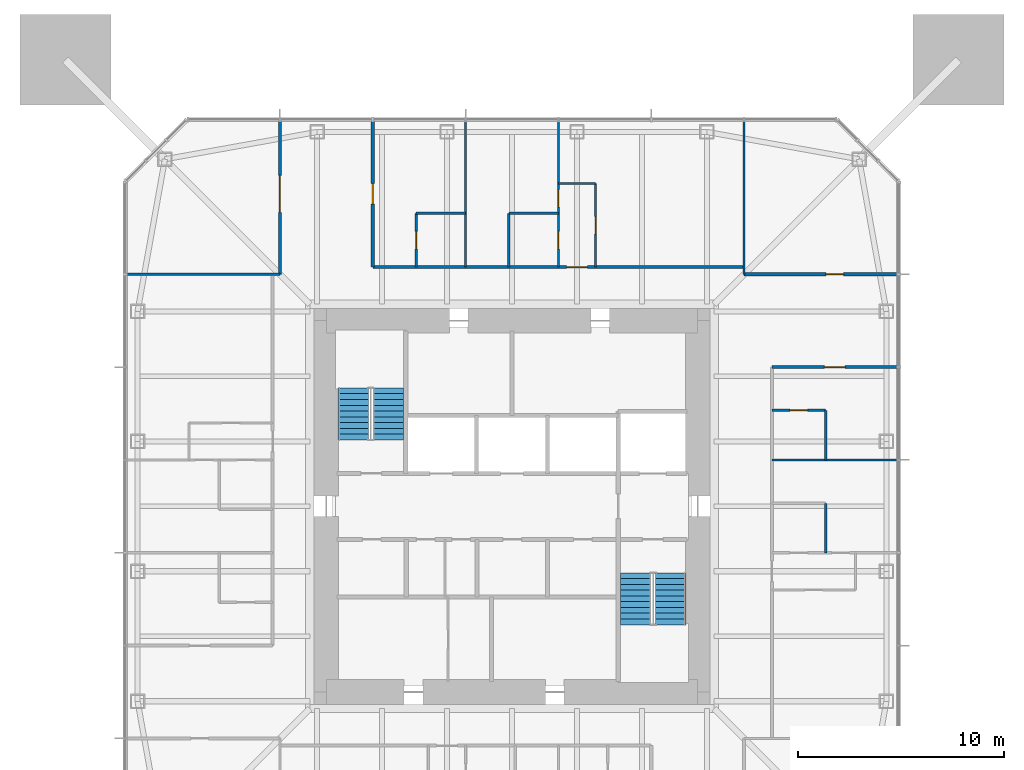
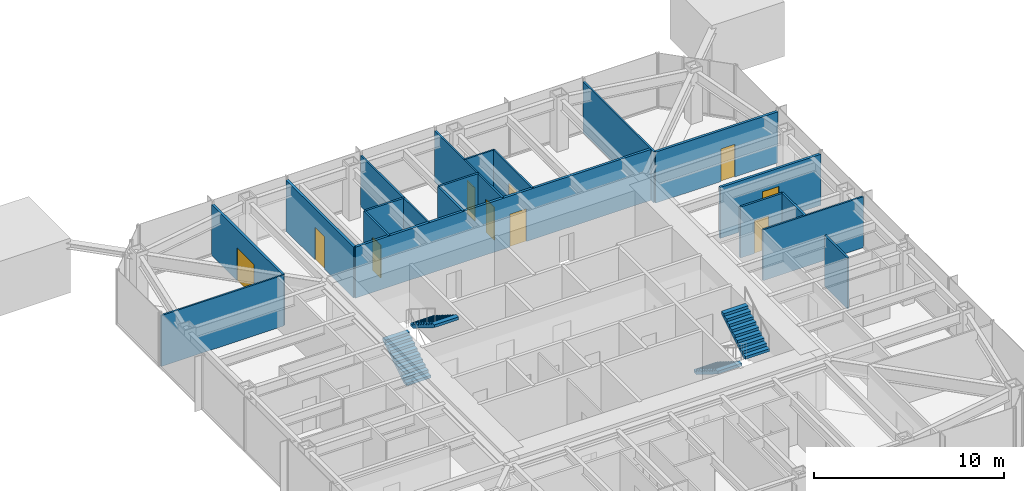
# One storey, part 8 of 11: 19 walls, 10 doors, 4 stair flights, 10 openings, 2 elements without a shape of their own.
"""IFC4 building model written with IfcOpenShell, lengths in metres."""

from ifc_helpers import new_model, si_unit, direction, frame, frame_2d, origin, place, context, subcontext, project, spatial, polyline, rectangle, outline, extrude, material, layer, layer_set, constituent, constituent_set, type_object, element, fill, aggregate, save


model = new_model("IFC4")

# Units and contexts
model_context = context("Model", 3, precision=1e-05, world=origin(), true_north=direction((0.0, 1.0)))
body_context = subcontext(model_context, "Body", "Model", "MODEL_VIEW")
ifc_project = project(units=[si_unit("LENGTHUNIT", "METRE"), si_unit("AREAUNIT", "SQUARE_METRE"), si_unit("VOLUMEUNIT", "CUBIC_METRE"), si_unit("PLANEANGLEUNIT", "RADIAN"), si_unit("MASSUNIT", "GRAM", prefix="KILO")], contexts=[model_context])

# Site, building, storey
site_placement = place(None, origin())
site = spatial("IfcSite", under=ifc_project, at=site_placement, CompositionType="ELEMENT")
building_placement = place(site_placement, origin())
building = spatial("IfcBuilding", under=site, at=building_placement, Name="Iwan Alto Co-Living Towers", CompositionType="ELEMENT")
storey_placement = place(building_placement, frame((0.0, 0.0, 163.5)))
storey = spatial("IfcBuildingStorey", under=building, at=storey_placement, Name="L44", CompositionType="ELEMENT", Elevation=163.5)

# Wall, opening, door
ifc_material_1 = material(Name="Gypsum board")
ifc_layer_1 = layer(ifc_material_1, 0.02490234375, Name="Board", Category="Finish")
ifc_material_2 = material(Name="Steel ASTM A1003 ST33H cold-formed studs", Category="steel")
ifc_layer_2 = layer(ifc_material_2, 0.10009765625, Name="Studs", Category="Framing")
ifc_layer_3 = layer(ifc_material_1, 0.02490234375, Name="Board", Category="Finish")
ifc_layer_set_1 = layer_set([ifc_layer_1, ifc_layer_2, ifc_layer_3], Name="CORRIDOR WALL 150")
wall_type_1 = type_object("IfcWallType", Name="CORRIDOR WALL 150", PredefinedType="PARTITIONING", material=ifc_layer_set_1)
wall_1_placement = place(storey_placement, frame((12.60009765625, 6.75, 0.0), z_axis=(0.0, 0.0, 1.0), x_axis=(1.0, 0.0, 0.0)))
wall_1 = element("IfcWall", 1, at=wall_1_placement, inside=storey, type_object=wall_type_1, Name="Partition L44", PredefinedType="PARTITIONING", context=body_context, shape_type="SweptSolid", body=[
    extrude(rectangle(XDim=6.08984375, YDim=0.14990234375, at=frame_2d((3.044921875, 0.0))), origin(), (0.0, 0.0, 1.0), 3.27001953125),
])
opening_1_placement = place(wall_1_placement, frame((2.544921875, 0.0, 0.0)))
opening_1 = element("IfcOpeningElement", 2, at=opening_1_placement, cuts=wall_1, Name="Opening D3", PredefinedType="OPENING", context=body_context, shape_type="SweptSolid", body=[
    extrude(rectangle(XDim=1.0, YDim=2.10009765625, at=frame_2d((0.5, 1.050048828125))), frame((0.0, 0.0849609375, 0.0), z_axis=(0.0, -1.0, 0.0), x_axis=(1.0, 0.0, 0.0)), (0.0, 0.0, 1.0), 0.169921875),
])
ifc_material_3 = material(Name="Steel frame with timber leaf", Category="steel")
door_type_1 = type_object("IfcDoorType", Name="FLAT ENTRANCE DOOR FD30S 1000X2100", OperationType="SINGLE_SWING_LEFT", PredefinedType="DOOR", material=ifc_material_3)
door_1_placement = place(opening_1_placement, frame((1.0, 0.0, 0.0), z_axis=(0.0, 0.0, 1.0), x_axis=(-1.0, 0.0, 0.0)))
door_1 = element("IfcDoor", 3, at=door_1_placement, inside=storey, type_object=door_type_1, Name="Studio door L44", OperationType="SINGLE_SWING_RIGHT", OverallHeight=2.10009765625, OverallWidth=1.0, PredefinedType="DOOR", context=body_context, shape_type="SweptSolid", body=[
    extrude(rectangle(XDim=1.0, YDim=2.10009765625, at=frame_2d((0.5, 1.050048828125))), frame((0.0, 0.02490234375, 0.0), z_axis=(0.0, -1.0, 0.0), x_axis=(1.0, 0.0, 0.0)), (0.0, 0.0, 1.0), 0.050048828125),
])
fill(opening_1, door_1)

wall_2_placement = place(storey_placement, frame((11.25, 11.25, 0.0), z_axis=(0.0, 0.0, 1.0), x_axis=(1.0, 0.0, 0.0)))
wall_2 = element("IfcWall", 4, at=wall_2_placement, inside=storey, type_object=wall_type_1, Name="Partition L44", PredefinedType="PARTITIONING", context=body_context, shape_type="SweptSolid", body=[
    extrude(rectangle(XDim=7.43994140625, YDim=0.14990234375, at=frame_2d((3.719970703125, 0.0))), origin(), (0.0, 0.0, 1.0), 3.27001953125),
])
opening_2_placement = place(wall_2_placement, frame((3.969970703125, 0.0, 0.0)))
opening_2 = element("IfcOpeningElement", 5, at=opening_2_placement, cuts=wall_2, Name="Opening D2", PredefinedType="OPENING", context=body_context, shape_type="SweptSolid", body=[
    extrude(rectangle(XDim=0.85009765625, YDim=2.10009765625, at=frame_2d((0.425048828125, 1.050048828125))), frame((0.0, 0.0849609375, 0.0), z_axis=(0.0, -1.0, 0.0), x_axis=(1.0, 0.0, 0.0)), (0.0, 0.0, 1.0), 0.169921875),
])
ifc_material_4 = material(Name="Timber leaf in steel frame", Category="steel")
door_type_2 = type_object("IfcDoorType", Name="ROOM DOOR 850X2100", OperationType="SINGLE_SWING_LEFT", PredefinedType="DOOR", material=ifc_material_4)
door_2_placement = place(opening_2_placement, origin())
door_2 = element("IfcDoor", 6, at=door_2_placement, inside=storey, type_object=door_type_2, Name="Shared kitchen and lounge door L44", OperationType="SINGLE_SWING_RIGHT", OverallHeight=2.10009765625, OverallWidth=0.85009765625, PredefinedType="DOOR", context=body_context, shape_type="SweptSolid", body=[
    extrude(rectangle(XDim=0.85009765625, YDim=2.10009765625, at=frame_2d((0.425048828125, 1.050048828125))), frame((0.0, 0.02490234375, 0.0), z_axis=(0.0, -1.0, 0.0), x_axis=(1.0, 0.0, 0.0)), (0.0, 0.0, 1.0), 0.050048828125),
])
fill(opening_2, door_2)

wall_3_placement = place(storey_placement, frame((-6.75, 11.60009765625, 0.0), z_axis=(0.0, 0.0, 1.0), x_axis=(1.0, 0.0, 0.0)))
wall_3 = element("IfcWall", 7, at=wall_3_placement, inside=storey, type_object=wall_type_1, Name="Partition L44", PredefinedType="PARTITIONING", context=body_context, shape_type="SweptSolid", body=[
    extrude(rectangle(XDim=18.0, YDim=0.14990234375, at=frame_2d((9.0, 0.0))), origin(), (0.0, 0.0, 1.0), 3.27001953125),
])
opening_3_placement = place(wall_3_placement, frame((9.39990234375, 0.0, 0.0)))
opening_3 = element("IfcOpeningElement", 8, at=opening_3_placement, cuts=wall_3, Name="Opening D3", PredefinedType="OPENING", context=body_context, shape_type="SweptSolid", body=[
    extrude(rectangle(XDim=1.0, YDim=2.10009765625, at=frame_2d((0.5, 1.050048828125))), frame((0.0, 0.0849609375, 0.0), z_axis=(0.0, -1.0, 0.0), x_axis=(1.0, 0.0, 0.0)), (0.0, 0.0, 1.0), 0.169921875),
])
door_3_placement = place(opening_3_placement, origin())
door_3 = element("IfcDoor", 9, at=door_3_placement, inside=storey, type_object=door_type_1, Name="Apartment foyer door L44", OperationType="SINGLE_SWING_LEFT", OverallHeight=2.10009765625, OverallWidth=1.0, PredefinedType="DOOR", context=body_context, shape_type="SweptSolid", body=[
    extrude(rectangle(XDim=1.0, YDim=2.10009765625, at=frame_2d((0.5, 1.050048828125))), frame((0.0, 0.02490234375, 0.0), z_axis=(0.0, -1.0, 0.0), x_axis=(1.0, 0.0, 0.0)), (0.0, 0.0, 1.0), 0.050048828125),
])
fill(opening_3, door_3)

wall_4_placement = place(storey_placement, frame((-6.75, 11.60009765625, 0.0), z_axis=(0.0, 0.0, 1.0), x_axis=(0.0, 1.0, 0.0)))
wall_4 = element("IfcWall", 10, at=wall_4_placement, inside=storey, type_object=wall_type_1, Name="Partition L44", PredefinedType="PARTITIONING", context=body_context, shape_type="SweptSolid", body=[
    extrude(rectangle(XDim=7.08984375, YDim=0.14990234375, at=frame_2d((3.544921875, 0.0))), origin(), (0.0, 0.0, 1.0), 3.27001953125),
])
opening_4_placement = place(wall_4_placement, frame((3.044921875, 0.0, 0.0)))
opening_4 = element("IfcOpeningElement", 11, at=opening_4_placement, cuts=wall_4, Name="Opening D3", PredefinedType="OPENING", context=body_context, shape_type="SweptSolid", body=[
    extrude(rectangle(XDim=1.0, YDim=2.10009765625, at=frame_2d((0.5, 1.050048828125))), frame((0.0, 0.0849609375, 0.0), z_axis=(0.0, -1.0, 0.0), x_axis=(1.0, 0.0, 0.0)), (0.0, 0.0, 1.0), 0.169921875),
])
door_4_placement = place(opening_4_placement, frame((1.0, 0.0, 0.0), z_axis=(0.0, 0.0, 1.0), x_axis=(-1.0, 0.0, 0.0)))
door_4 = element("IfcDoor", 12, at=door_4_placement, inside=storey, type_object=door_type_1, Name="Studio door L44", OperationType="SINGLE_SWING_RIGHT", OverallHeight=2.10009765625, OverallWidth=1.0, PredefinedType="DOOR", context=body_context, shape_type="SweptSolid", body=[
    extrude(rectangle(XDim=1.0, YDim=2.10009765625, at=frame_2d((0.5, 1.050048828125))), frame((0.0, 0.02490234375, 0.0), z_axis=(0.0, -1.0, 0.0), x_axis=(1.0, 0.0, 0.0)), (0.0, 0.0, 1.0), 0.050048828125),
])
fill(opening_4, door_4)

wall_5_placement = place(storey_placement, frame((-11.25, 11.25, 0.0), z_axis=(0.0, 0.0, 1.0), x_axis=(0.0, 1.0, 0.0)))
wall_5 = element("IfcWall", 13, at=wall_5_placement, inside=storey, type_object=wall_type_1, Name="Partition L44", PredefinedType="PARTITIONING", context=body_context, shape_type="SweptSolid", body=[
    extrude(rectangle(XDim=7.43994140625, YDim=0.14990234375, at=frame_2d((3.719970703125, 0.0))), origin(), (0.0, 0.0, 1.0), 3.27001953125),
])
opening_5_placement = place(wall_5_placement, frame((2.9951171875, 0.0, 0.0)))
opening_5 = element("IfcOpeningElement", 14, at=opening_5_placement, cuts=wall_5, Name="Opening D9", PredefinedType="OPENING", context=body_context, shape_type="SweptSolid", body=[
    extrude(rectangle(XDim=1.800048828125, YDim=2.10009765625, at=frame_2d((0.89990234375, 1.050048828125))), frame((0.0, 0.0849609375, 0.0), z_axis=(0.0, -1.0, 0.0), x_axis=(1.0, 0.0, 0.0)), (0.0, 0.0, 1.0), 0.169921875),
])
ifc_material_5 = material(Name="Steel frame with timber leaf", Category="steel")
door_type_3 = type_object("IfcDoorType", Name="LOUNGE DOOR FD30S 1800X2100", OperationType="DOUBLE_DOOR_SINGLE_SWING", PredefinedType="DOOR", material=ifc_material_5)
door_5_placement = place(opening_5_placement, origin())
door_5 = element("IfcDoor", 15, at=door_5_placement, inside=storey, type_object=door_type_3, Name="Study lounge door L44", OperationType="DOUBLE_DOOR_SINGLE_SWING", OverallHeight=2.10009765625, OverallWidth=1.800048828125, PredefinedType="DOOR", context=body_context, shape_type="SweptSolid", body=[
    extrude(rectangle(XDim=1.800048828125, YDim=2.10009765625, at=frame_2d((0.89990234375, 1.050048828125))), frame((0.0, 0.02490234375, 0.0), z_axis=(0.0, -1.0, 0.0), x_axis=(1.0, 0.0, 0.0)), (0.0, 0.0, 1.0), 0.050048828125),
])
fill(opening_5, door_5)

# Walls
ifc_layer_4 = layer(ifc_material_1, 0.012451171875, Name="Board", Category="Finish")
ifc_layer_5 = layer(ifc_material_2, 0.074951171875, Name="Studs", Category="Framing")
ifc_layer_6 = layer(ifc_material_1, 0.012451171875, Name="Board", Category="Finish")
ifc_layer_set_2 = layer_set([ifc_layer_4, ifc_layer_5, ifc_layer_6], Name="PARTITION 100")
wall_type_2 = type_object("IfcWallType", Name="PARTITION 100", PredefinedType="PARTITIONING", material=ifc_layer_set_2)
wall_6_placement = place(storey_placement, frame((12.60009765625, 2.25, 0.0), z_axis=(0.0, 0.0, 1.0), x_axis=(1.0, 0.0, 0.0)))
element("IfcWall", 16, at=wall_6_placement, inside=storey, type_object=wall_type_2, Name="Partition L44", PredefinedType="PARTITIONING", context=body_context, shape_type="SweptSolid", body=[
    extrude(rectangle(XDim=6.08984375, YDim=0.10009765625, at=frame_2d((3.044921875, 0.0))), origin(), (0.0, 0.0, 1.0), 3.27001953125),
])
wall_7_placement = place(storey_placement, frame((-18.68994140625, 11.25, 0.0), z_axis=(0.0, 0.0, 1.0), x_axis=(1.0, 0.0, 0.0)))
element("IfcWall", 17, at=wall_7_placement, inside=storey, type_object=wall_type_2, Name="Partition L44", PredefinedType="PARTITIONING", context=body_context, shape_type="SweptSolid", body=[
    extrude(rectangle(XDim=7.43994140625, YDim=0.10009765625, at=frame_2d((3.719970703125, 0.0))), origin(), (0.0, 0.0, 1.0), 3.27001953125),
])
wall_8_placement = place(storey_placement, frame((2.25, 15.64990234375, 0.0), z_axis=(0.0, 0.0, 1.0), x_axis=(1.0, 0.0, 0.0)))
element("IfcWall", 18, at=wall_8_placement, inside=storey, type_object=wall_type_2, Name="Partition L44", PredefinedType="PARTITIONING", context=body_context, shape_type="SweptSolid", body=[
    extrude(rectangle(XDim=1.800048828125, YDim=0.10009765625, at=frame_2d((0.89990234375, 0.0))), origin(), (0.0, 0.0, 1.0), 3.27001953125),
])
wall_9_placement = place(storey_placement, frame((11.25, 11.25, 0.0), z_axis=(0.0, 0.0, 1.0), x_axis=(0.0, 1.0, 0.0)))
element("IfcWall", 19, at=wall_9_placement, inside=storey, type_object=wall_type_2, Name="Partition L44", PredefinedType="PARTITIONING", context=body_context, shape_type="SweptSolid", body=[
    extrude(rectangle(XDim=7.43994140625, YDim=0.10009765625, at=frame_2d((3.719970703125, 0.0))), origin(), (0.0, 0.0, 1.0), 3.27001953125),
])

# Wall, opening, door
wall_10_placement = place(storey_placement, frame((4.050048828125, 11.60009765625, 0.0), z_axis=(0.0, 0.0, 1.0), x_axis=(0.0, 1.0, 0.0)))
wall_10 = element("IfcWall", 20, at=wall_10_placement, inside=storey, type_object=wall_type_2, Name="Partition L44", PredefinedType="PARTITIONING", context=body_context, shape_type="SweptSolid", body=[
    extrude(rectangle(XDim=4.0498046875, YDim=0.10009765625, at=frame_2d((2.02490234375, 0.0))), origin(), (0.0, 0.0, 1.0), 3.27001953125),
])
opening_6_placement = place(wall_10_placement, frame((1.60009765625, 0.0, 0.0)))
opening_6 = element("IfcOpeningElement", 21, at=opening_6_placement, cuts=wall_10, Name="Opening D2", PredefinedType="OPENING", context=body_context, shape_type="SweptSolid", body=[
    extrude(rectangle(XDim=0.85009765625, YDim=2.10009765625, at=frame_2d((0.425048828125, 1.050048828125))), frame((0.0, 0.06005859375, 0.0), z_axis=(0.0, -1.0, 0.0), x_axis=(1.0, 0.0, 0.0)), (0.0, 0.0, 1.0), 0.1201171875),
])
door_6_placement = place(opening_6_placement, frame((0.85009765625, 0.0, 0.0), z_axis=(0.0, 0.0, 1.0), x_axis=(-1.0, 0.0, 0.0)))
door_6 = element("IfcDoor", 22, at=door_6_placement, inside=storey, type_object=door_type_2, Name="Apartment foyer door L44", OperationType="SINGLE_SWING_RIGHT", OverallHeight=2.10009765625, OverallWidth=0.85009765625, PredefinedType="DOOR", context=body_context, shape_type="SweptSolid", body=[
    extrude(rectangle(XDim=0.85009765625, YDim=2.10009765625, at=frame_2d((0.425048828125, 1.050048828125))), frame((0.0, 0.02490234375, 0.0), z_axis=(0.0, -1.0, 0.0), x_axis=(1.0, 0.0, 0.0)), (0.0, 0.0, 1.0), 0.050048828125),
])
fill(opening_6, door_6)

# Wall, openings, doors
wall_11_placement = place(storey_placement, frame((2.25, 11.60009765625, 0.0), z_axis=(0.0, 0.0, 1.0), x_axis=(0.0, 1.0, 0.0)))
wall_11 = element("IfcWall", 23, at=wall_11_placement, inside=storey, type_object=wall_type_2, Name="Partition L44", PredefinedType="PARTITIONING", context=body_context, shape_type="SweptSolid", body=[
    extrude(rectangle(XDim=7.08984375, YDim=0.10009765625, at=frame_2d((3.544921875, 0.0))), origin(), (0.0, 0.0, 1.0), 3.27001953125),
])
opening_7_placement = place(wall_11_placement, frame((2.89990234375, 0.0, 0.0)))
opening_7 = element("IfcOpeningElement", 24, at=opening_7_placement, cuts=wall_11, Name="Opening D2", PredefinedType="OPENING", context=body_context, shape_type="SweptSolid", body=[
    extrude(rectangle(XDim=0.85009765625, YDim=2.10009765625, at=frame_2d((0.425048828125, 1.050048828125))), frame((0.0, 0.06005859375, 0.0), z_axis=(0.0, -1.0, 0.0), x_axis=(1.0, 0.0, 0.0)), (0.0, 0.0, 1.0), 0.1201171875),
])
opening_8_placement = place(wall_11_placement, frame((0.875, 0.0, 0.0)))
opening_8 = element("IfcOpeningElement", 25, at=opening_8_placement, cuts=wall_11, Name="Opening D2", PredefinedType="OPENING", context=body_context, shape_type="SweptSolid", body=[
    extrude(rectangle(XDim=0.85009765625, YDim=2.10009765625, at=frame_2d((0.425048828125, 1.050048828125))), frame((0.0, 0.06005859375, 0.0), z_axis=(0.0, -1.0, 0.0), x_axis=(1.0, 0.0, 0.0)), (0.0, 0.0, 1.0), 0.1201171875),
])
door_7_placement = place(opening_7_placement, origin())
door_7 = element("IfcDoor", 26, at=door_7_placement, inside=storey, type_object=door_type_2, Name="Bedroom door L44", OperationType="SINGLE_SWING_LEFT", OverallHeight=2.10009765625, OverallWidth=0.85009765625, PredefinedType="DOOR", context=body_context, shape_type="SweptSolid", body=[
    extrude(rectangle(XDim=0.85009765625, YDim=2.10009765625, at=frame_2d((0.425048828125, 1.050048828125))), frame((0.0, 0.02490234375, 0.0), z_axis=(0.0, -1.0, 0.0), x_axis=(1.0, 0.0, 0.0)), (0.0, 0.0, 1.0), 0.050048828125),
])
fill(opening_7, door_7)
door_8_placement = place(opening_8_placement, origin())
door_8 = element("IfcDoor", 27, at=door_8_placement, inside=storey, type_object=door_type_2, Name="Bathroom door L44", OperationType="SINGLE_SWING_LEFT", OverallHeight=2.10009765625, OverallWidth=0.85009765625, PredefinedType="DOOR", context=body_context, shape_type="SweptSolid", body=[
    extrude(rectangle(XDim=0.85009765625, YDim=2.10009765625, at=frame_2d((0.425048828125, 1.050048828125))), frame((0.0, 0.02490234375, 0.0), z_axis=(0.0, -1.0, 0.0), x_axis=(1.0, 0.0, 0.0)), (0.0, 0.0, 1.0), 0.050048828125),
])
fill(opening_8, door_8)

# Wall
wall_12_placement = place(storey_placement, frame((-2.25, 11.60009765625, 0.0), z_axis=(0.0, 0.0, 1.0), x_axis=(0.0, 1.0, 0.0)))
element("IfcWall", 28, at=wall_12_placement, inside=storey, type_object=wall_type_2, Name="Partition L44", PredefinedType="PARTITIONING", context=body_context, shape_type="SweptSolid", body=[
    extrude(rectangle(XDim=7.08984375, YDim=0.10009765625, at=frame_2d((3.544921875, 0.0))), origin(), (0.0, 0.0, 1.0), 3.27001953125),
])

# Wall, opening, door
ifc_material_6 = material(Name="Cement board")
ifc_layer_7 = layer(ifc_material_6, 0.012451171875, Name="Board", Category="Finish")
ifc_layer_8 = layer(ifc_material_2, 0.094970703125, Name="Studs", Category="Framing")
ifc_layer_9 = layer(ifc_material_6, 0.012451171875, Name="Board", Category="Finish")
ifc_layer_set_3 = layer_set([ifc_layer_7, ifc_layer_8, ifc_layer_9], Name="WET AREA PARTITION 120")
wall_type_3 = type_object("IfcWallType", Name="WET AREA PARTITION 120", PredefinedType="PARTITIONING", material=ifc_layer_set_3)
wall_13_placement = place(storey_placement, frame((12.60009765625, 4.64990234375, 0.0), z_axis=(0.0, 0.0, 1.0), x_axis=(1.0, 0.0, 0.0)))
wall_13 = element("IfcWall", 29, at=wall_13_placement, inside=storey, type_object=wall_type_3, Name="Partition L44", PredefinedType="PARTITIONING", context=body_context, shape_type="SweptSolid", body=[
    extrude(rectangle(XDim=2.599853515625, YDim=0.1201171875, at=frame_2d((1.2998046875, 0.0))), origin(), (0.0, 0.0, 1.0), 3.27001953125),
])
opening_9_placement = place(wall_13_placement, frame((0.875, 0.0, 0.0)))
opening_9 = element("IfcOpeningElement", 30, at=opening_9_placement, cuts=wall_13, Name="Opening D2", PredefinedType="OPENING", context=body_context, shape_type="SweptSolid", body=[
    extrude(rectangle(XDim=0.85009765625, YDim=2.10009765625, at=frame_2d((0.425048828125, 1.050048828125))), frame((0.0, 0.070068359375, 0.0), z_axis=(0.0, -1.0, 0.0), x_axis=(1.0, 0.0, 0.0)), (0.0, 0.0, 1.0), 0.14013671875),
])
door_9_placement = place(opening_9_placement, origin())
door_9 = element("IfcDoor", 31, at=door_9_placement, inside=storey, type_object=door_type_2, Name="En-suite shower room door L44", OperationType="SINGLE_SWING_LEFT", OverallHeight=2.10009765625, OverallWidth=0.85009765625, PredefinedType="DOOR", context=body_context, shape_type="SweptSolid", body=[
    extrude(rectangle(XDim=0.85009765625, YDim=2.10009765625, at=frame_2d((0.425048828125, 1.050048828125))), frame((0.0, 0.02490234375, 0.0), z_axis=(0.0, -1.0, 0.0), x_axis=(1.0, 0.0, 0.0)), (0.0, 0.0, 1.0), 0.050048828125),
])
fill(opening_9, door_9)

# Walls
for number, where, z_axis, x_axis, name in (
    (32, (-4.64990234375, 14.199951171875, 0.0), (0.0, 0.0, 1.0), (1.0, 0.0, 0.0), "Partition L44"),
    (33, (-0.14990234375, 14.199951171875, 0.0), (0.0, 0.0, 1.0), (1.0, 0.0, 0.0), "Partition L44"),
    (34, (15.199951171875, -2.25, 0.0), (0.0, 0.0, 1.0), (0.0, 1.0, 0.0), "Partition L44"),
    (35, (15.199951171875, 2.25, 0.0), (0.0, 0.0, 1.0), (0.0, 1.0, 0.0), "Partition L44"),
):
    element("IfcWall", number, at=place(storey_placement, frame(where, z_axis=z_axis, x_axis=x_axis)), inside=storey, type_object=wall_type_3, Name=name, PredefinedType="PARTITIONING", context=body_context, shape_type="SweptSolid", body=[
        extrude(rectangle(XDim=2.39990234375, YDim=0.1201171875, at=frame_2d((1.199951171875, 0.0))), origin(), (0.0, 0.0, 1.0), 3.27001953125),
    ])
wall_14_placement = place(storey_placement, frame((-0.14990234375, 11.60009765625, 0.0), z_axis=(0.0, 0.0, 1.0), x_axis=(0.0, 1.0, 0.0)))
element("IfcWall", 36, at=wall_14_placement, inside=storey, type_object=wall_type_3, Name="Partition L44", PredefinedType="PARTITIONING", context=body_context, shape_type="SweptSolid", body=[
    extrude(rectangle(XDim=2.599853515625, YDim=0.1201171875, at=frame_2d((1.2998046875, 0.0))), origin(), (0.0, 0.0, 1.0), 3.27001953125),
])

# Wall, opening, door
wall_15_placement = place(storey_placement, frame((-4.64990234375, 11.60009765625, 0.0), z_axis=(0.0, 0.0, 1.0), x_axis=(0.0, 1.0, 0.0)))
wall_15 = element("IfcWall", 37, at=wall_15_placement, inside=storey, type_object=wall_type_3, Name="Partition L44", PredefinedType="PARTITIONING", context=body_context, shape_type="SweptSolid", body=[
    extrude(rectangle(XDim=2.599853515625, YDim=0.1201171875, at=frame_2d((1.2998046875, 0.0))), origin(), (0.0, 0.0, 1.0), 3.27001953125),
])
opening_10_placement = place(wall_15_placement, frame((0.875, 0.0, 0.0)))
opening_10 = element("IfcOpeningElement", 38, at=opening_10_placement, cuts=wall_15, Name="Opening D2", PredefinedType="OPENING", context=body_context, shape_type="SweptSolid", body=[
    extrude(rectangle(XDim=0.85009765625, YDim=2.10009765625, at=frame_2d((0.425048828125, 1.050048828125))), frame((0.0, 0.070068359375, 0.0), z_axis=(0.0, -1.0, 0.0), x_axis=(1.0, 0.0, 0.0)), (0.0, 0.0, 1.0), 0.14013671875),
])
door_10_placement = place(opening_10_placement, origin())
door_10 = element("IfcDoor", 39, at=door_10_placement, inside=storey, type_object=door_type_2, Name="En-suite shower room door L44", OperationType="SINGLE_SWING_LEFT", OverallHeight=2.10009765625, OverallWidth=0.85009765625, PredefinedType="DOOR", context=body_context, shape_type="SweptSolid", body=[
    extrude(rectangle(XDim=0.85009765625, YDim=2.10009765625, at=frame_2d((0.425048828125, 1.050048828125))), frame((0.0, 0.02490234375, 0.0), z_axis=(0.0, -1.0, 0.0), x_axis=(1.0, 0.0, 0.0)), (0.0, 0.0, 1.0), 0.050048828125),
])
fill(opening_10, door_10)

# Stair, stair flights
ifc_material_7 = material(Name="Steel ASTM A36", Category="steel")
ifc_constituent_1 = constituent(ifc_material_7, Name="Stringers", Category="LoadBearing")
ifc_material_8 = material(Name="Concrete f'c 30 MPa", Category="concrete")
ifc_constituent_2 = constituent(ifc_material_8, Name="Tread fill", Category="Finish")
ifc_constituent_set_1 = constituent_set(constituents=[ifc_constituent_1, ifc_constituent_2], Name="STAIR 3500 TWO-FLIGHT T1 CORE")
stair_type = type_object("IfcStairType", Name="STAIR 3500 TWO-FLIGHT T1 CORE", PredefinedType="HALF_TURN_STAIR", material=ifc_constituent_set_1)
stair_1_placement = place(storey_placement, origin())
stair_1 = element("IfcStair", 40, at=stair_1_placement, inside=storey, type_object=stair_type, Name="Stair T1-S1 L44 to L45", PredefinedType="HALF_TURN_STAIR")
ifc_constituent_3 = constituent(ifc_material_7, Name="Stringers", Category="LoadBearing")
ifc_constituent_4 = constituent(ifc_material_8, Name="Tread fill", Category="Finish")
ifc_constituent_set_2 = constituent_set(constituents=[ifc_constituent_3, ifc_constituent_4], Name="STAIR FLIGHT 10 RISERS 280 GOING")
stair_flight_type = type_object("IfcStairFlightType", Name="STAIR FLIGHT 10 RISERS 280 GOING", PredefinedType="STRAIGHT", material=ifc_constituent_set_2)
stair_flight_1_placement = place(storey_placement, frame((-7.68994140625, 3.219970703125, 0.0), z_axis=(0.0, 0.0, 1.0), x_axis=(0.0, 1.0, 0.0)))
stair_flight_1 = element("IfcStairFlight", 41, at=stair_flight_1_placement, type_object=stair_flight_type, Name="T1-S1 flight 1", NumberOfRisers=10, NumberOfTreads=9, PredefinedType="STRAIGHT", RiserHeight=0.175, TreadLength=0.28, context=body_context, shape_type="SweptSolid", body=[
    extrude(outline(polyline([(0.0, 0.0), (0.0, 0.175048828125), (0.280029296875, 0.175048828125), (0.280029296875, 0.35009765625), (0.56005859375, 0.35009765625), (0.56005859375, 0.52490234375), (0.840087890625, 0.52490234375), (0.840087890625, 0.699951171875), (1.1201171875, 0.699951171875), (1.1201171875, 0.875), (1.39990234375, 0.875), (1.39990234375, 1.050048828125), (1.679931640625, 1.050048828125), (1.679931640625, 1.22509765625), (1.9599609375, 1.22509765625), (1.9599609375, 1.39990234375), (2.239990234375, 1.39990234375), (2.239990234375, 1.574951171875), (2.52001953125, 1.574951171875), (2.52001953125, 1.75), (2.52001953125, 1.398193359375), (0.28271484375, 0.0), (0.0, 0.0)])), frame((0.0, 0.739990234375, 0.0), z_axis=(0.0, -1.0, 0.0), x_axis=(1.0, 0.0, 0.0)), (0.0, 0.0, 1.0), 1.47998046875),
])
stair_flight_2_placement = place(storey_placement, frame((-6.010009765625, 5.739990234375, 1.75), z_axis=(0.0, 0.0, 1.0), x_axis=(0.0, -1.0, 0.0)))
stair_flight_2 = element("IfcStairFlight", 42, at=stair_flight_2_placement, type_object=stair_flight_type, Name="T1-S1 flight 2", NumberOfRisers=10, NumberOfTreads=9, PredefinedType="STRAIGHT", RiserHeight=0.175, TreadLength=0.28, context=body_context, shape_type="SweptSolid", body=[
    extrude(outline(polyline([(0.0, 0.0), (0.0, 0.175048828125), (0.280029296875, 0.175048828125), (0.280029296875, 0.35009765625), (0.56005859375, 0.35009765625), (0.56005859375, 0.52490234375), (0.840087890625, 0.52490234375), (0.840087890625, 0.699951171875), (1.1201171875, 0.699951171875), (1.1201171875, 0.875), (1.39990234375, 0.875), (1.39990234375, 1.050048828125), (1.679931640625, 1.050048828125), (1.679931640625, 1.22509765625), (1.9599609375, 1.22509765625), (1.9599609375, 1.39990234375), (2.239990234375, 1.39990234375), (2.239990234375, 1.574951171875), (2.52001953125, 1.574951171875), (2.52001953125, 1.75), (2.52001953125, 1.398193359375), (0.28271484375, 0.0), (0.0, 0.0)])), frame((0.0, 0.739990234375, 0.0), z_axis=(0.0, -1.0, 0.0), x_axis=(1.0, 0.0, 0.0)), (0.0, 0.0, 1.0), 1.47998046875),
])
aggregate(stair_1, [stair_flight_1, stair_flight_2])

stair_2_placement = place(storey_placement, origin())
stair_2 = element("IfcStair", 43, at=stair_2_placement, inside=storey, type_object=stair_type, Name="Stair T1-S2 L44 to L45", PredefinedType="HALF_TURN_STAIR")
stair_flight_3_placement = place(storey_placement, frame((6.010009765625, -3.219970703125, 0.0), z_axis=(0.0, 0.0, 1.0), x_axis=(0.0, -1.0, 0.0)))
stair_flight_3 = element("IfcStairFlight", 44, at=stair_flight_3_placement, type_object=stair_flight_type, Name="T1-S2 flight 1", NumberOfRisers=10, NumberOfTreads=9, PredefinedType="STRAIGHT", RiserHeight=0.175, TreadLength=0.28, context=body_context, shape_type="SweptSolid", body=[
    extrude(outline(polyline([(0.0, 0.0), (0.0, 0.175048828125), (0.280029296875, 0.175048828125), (0.280029296875, 0.35009765625), (0.56005859375, 0.35009765625), (0.56005859375, 0.52490234375), (0.840087890625, 0.52490234375), (0.840087890625, 0.699951171875), (1.1201171875, 0.699951171875), (1.1201171875, 0.875), (1.39990234375, 0.875), (1.39990234375, 1.050048828125), (1.679931640625, 1.050048828125), (1.679931640625, 1.22509765625), (1.9599609375, 1.22509765625), (1.9599609375, 1.39990234375), (2.239990234375, 1.39990234375), (2.239990234375, 1.574951171875), (2.52001953125, 1.574951171875), (2.52001953125, 1.75), (2.52001953125, 1.398193359375), (0.28271484375, 0.0), (0.0, 0.0)])), frame((0.0, 0.739990234375, 0.0), z_axis=(0.0, -1.0, 0.0), x_axis=(1.0, 0.0, 0.0)), (0.0, 0.0, 1.0), 1.47998046875),
])
stair_flight_4_placement = place(storey_placement, frame((7.68994140625, -5.739990234375, 1.75), z_axis=(0.0, 0.0, 1.0), x_axis=(0.0, 1.0, 0.0)))
stair_flight_4 = element("IfcStairFlight", 45, at=stair_flight_4_placement, type_object=stair_flight_type, Name="T1-S2 flight 2", NumberOfRisers=10, NumberOfTreads=9, PredefinedType="STRAIGHT", RiserHeight=0.175, TreadLength=0.28, context=body_context, shape_type="SweptSolid", body=[
    extrude(outline(polyline([(0.0, 0.0), (0.0, 0.175048828125), (0.280029296875, 0.175048828125), (0.280029296875, 0.35009765625), (0.56005859375, 0.35009765625), (0.56005859375, 0.52490234375), (0.840087890625, 0.52490234375), (0.840087890625, 0.699951171875), (1.1201171875, 0.699951171875), (1.1201171875, 0.875), (1.39990234375, 0.875), (1.39990234375, 1.050048828125), (1.679931640625, 1.050048828125), (1.679931640625, 1.22509765625), (1.9599609375, 1.22509765625), (1.9599609375, 1.39990234375), (2.239990234375, 1.39990234375), (2.239990234375, 1.574951171875), (2.52001953125, 1.574951171875), (2.52001953125, 1.75), (2.52001953125, 1.398193359375), (0.28271484375, 0.0), (0.0, 0.0)])), frame((0.0, 0.739990234375, 0.0), z_axis=(0.0, -1.0, 0.0), x_axis=(1.0, 0.0, 0.0)), (0.0, 0.0, 1.0), 1.47998046875),
])
aggregate(stair_2, [stair_flight_3, stair_flight_4])

save(model, "model.ifc")
